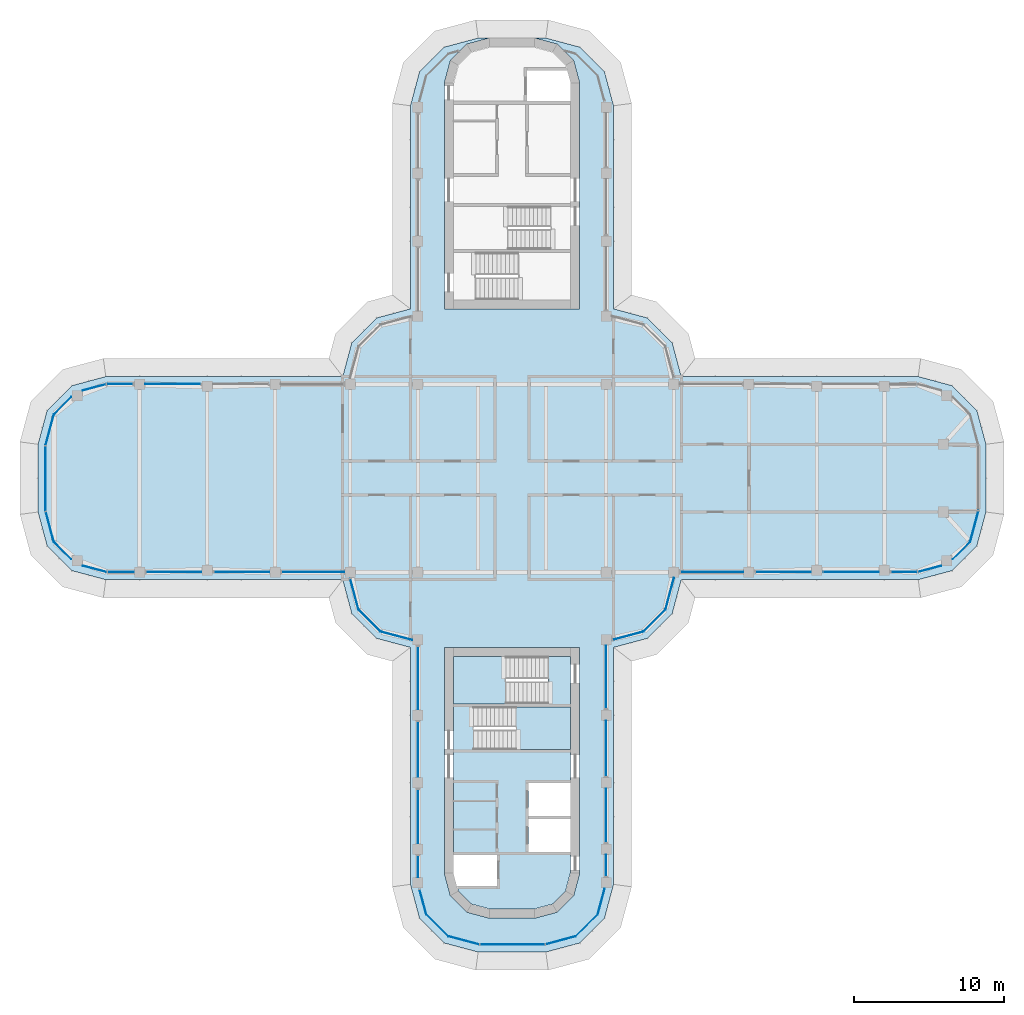
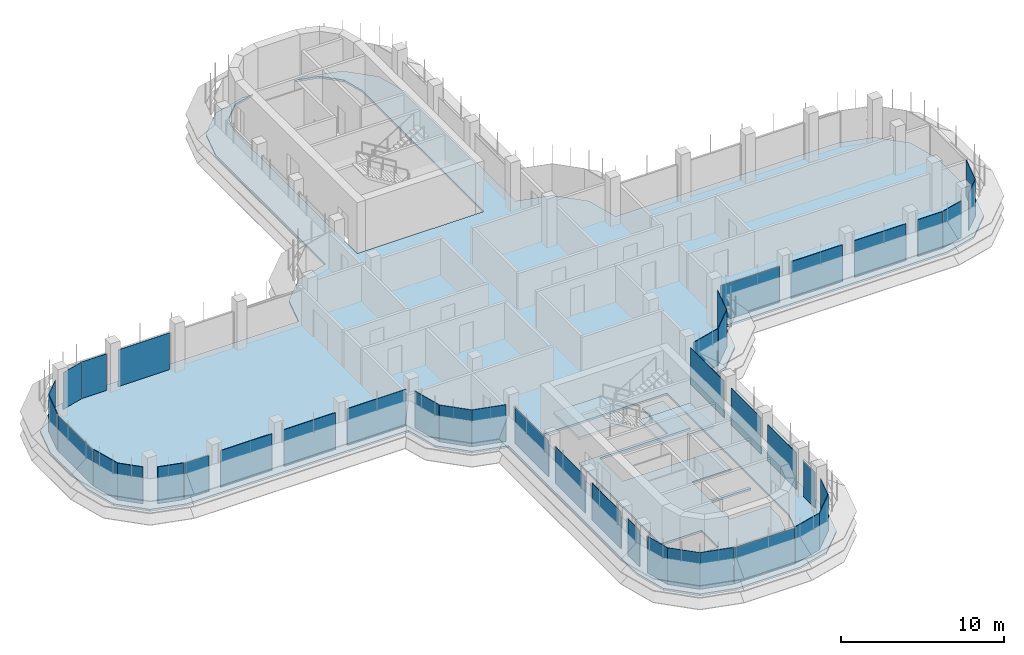
# One storey, part 11 of 19: 41 plates, 4 slabs, 30 elements without a shape of their own.
"""IFC4 building model written with IfcOpenShell, lengths in metres."""

from ifc_helpers import new_model, si_unit, direction, frame, origin, place, context, subcontext, project, spatial, polyline, outline, extrude, source, transform, mapped, material, layer, layer_set, type_object, element, aggregate, save


model = new_model("IFC4")

# Units and contexts
model_context = context("Model", 3, precision=1e-05, world=origin(), true_north=direction((0.0, 1.0)))
body_context = subcontext(model_context, "Body", "Model", "MODEL_VIEW")
ifc_project = project(units=[si_unit("LENGTHUNIT", "METRE"), si_unit("AREAUNIT", "SQUARE_METRE"), si_unit("VOLUMEUNIT", "CUBIC_METRE"), si_unit("PLANEANGLEUNIT", "RADIAN"), si_unit("MASSUNIT", "GRAM", prefix="KILO")], contexts=[model_context])

# Site, building, storey
site_placement = place(None, origin())
site = spatial("IfcSite", under=ifc_project, at=site_placement, CompositionType="ELEMENT")
building_placement = place(site_placement, origin())
building = spatial("IfcBuilding", under=site, at=building_placement, Name="Zarbagh Exchange Tower", CompositionType="ELEMENT")
storey_placement = place(building_placement, frame((0.0, 0.0, 237.199951171875)))
storey = spatial("IfcBuildingStorey", under=building, at=storey_placement, Name="L58", CompositionType="ELEMENT", Elevation=237.199951171875)

# Slabs
ifc_material_1 = material(Name="Concrete C40/50", Category="concrete")
ifc_layer_1 = layer(ifc_material_1, 0.14990234375)
ifc_layer_set_1 = layer_set([ifc_layer_1], Name="Composite floor slab 150 C40/50")
slab_type_1 = type_object("IfcSlabType", Name="Composite floor slab 150 C40/50", PredefinedType="FLOOR", material=ifc_layer_set_1)
slab_1_placement = place(storey_placement, frame((0.0, 0.0, -0.14990234375)))
element("IfcSlab", 1, at=slab_1_placement, inside=storey, type_object=slab_type_1, Name="S5 composite floor slab", PredefinedType="FLOOR", context=body_context, shape_type="SweptSolid", body=[
    extrude(outline(polyline([(-2.25, -31.5), (-4.5, -30.897216796875), (-6.147216796875, -29.25), (-6.75, -27.0), (-6.75, -11.25), (-9.0, -10.647216796875), (-10.647216796875, -9.0), (-11.25, -6.75), (-27.0, -6.75), (-29.25, -6.147216796875), (-30.897216796875, -4.5), (-31.5, -2.25), (-31.5, 2.25), (-30.897216796875, 4.5), (-29.25, 6.147216796875), (-27.0, 6.75), (-11.25, 6.75), (-10.647216796875, 9.0), (-9.0, 10.647216796875), (-6.75, 11.25), (-6.75, 24.75), (-6.147216796875, 27.0), (-4.5, 28.647216796875), (-2.25, 29.25), (-1.5, 29.25), (-3.0, 28.84814453125), (-4.09814453125, 27.75), (-4.5, 26.25), (-4.5, 11.25), (4.5, 11.25), (4.5, 26.25), (4.09814453125, 27.75), (3.0, 28.84814453125), (1.5, 29.25), (2.25, 29.25), (4.5, 28.647216796875), (6.147216796875, 27.0), (6.75, 24.75), (6.75, 11.25), (9.0, 10.647216796875), (10.647216796875, 9.0), (11.25, 6.75), (27.0, 6.75), (29.25, 6.147216796875), (30.897216796875, 4.5), (31.5, 2.25), (31.5, -2.25), (30.897216796875, -4.5), (29.25, -6.147216796875), (27.0, -6.75), (11.25, -6.75), (10.647216796875, -9.0), (9.0, -10.647216796875), (6.75, -11.25), (6.75, -27.0), (6.147216796875, -29.25), (4.5, -30.897216796875), (2.25, -31.5), (-2.25, -31.5)]), holes=[polyline([(-1.5, -29.25), (1.5, -29.25), (3.0, -28.84814453125), (4.09814453125, -27.75), (4.5, -26.25), (4.5, -11.25), (-4.5, -11.25), (-4.5, -26.25), (-4.09814453125, -27.75), (-3.0, -28.84814453125), (-1.5, -29.25)])]), origin(), (0.0, 0.0, 1.0), 0.14990234375),
])
ifc_layer_2 = layer(ifc_material_1, 0.14990234375)
ifc_layer_set_2 = layer_set([ifc_layer_2], Name="Core floor slab 150 C40/50")
slab_type_2 = type_object("IfcSlabType", Name="Core floor slab 150 C40/50", PredefinedType="FLOOR", material=ifc_layer_set_2)
slab_2_placement = place(storey_placement, frame((0.0, 0.0, -0.14990234375)))
element("IfcSlab", 2, at=slab_2_placement, inside=storey, type_object=slab_type_2, Name="S17 core S", PredefinedType="FLOOR", context=body_context, shape_type="SweptSolid", body=[
    extrude(outline(polyline([(-2.689453125, -28.31005859375), (-3.56005859375, -27.439453125), (-3.651123046875, -27.10009765625), (-1.0, -27.10009765625), (-1.0, -25.050048828125), (-3.89990234375, -25.050048828125), (-3.89990234375, -15.0), (2.39990234375, -15.0), (2.39990234375, -11.85009765625), (3.89990234375, -11.85009765625), (3.89990234375, -15.199951171875), (-2.550048828125, -15.199951171875), (-2.550048828125, -18.050048828125), (3.89990234375, -18.050048828125), (3.89990234375, -20.25), (1.10009765625, -20.25), (1.10009765625, -22.449951171875), (3.89990234375, -22.449951171875), (3.89990234375, -22.64990234375), (1.10009765625, -22.64990234375), (1.10009765625, -24.85009765625), (3.89990234375, -24.85009765625), (3.89990234375, -26.1708984375), (3.56005859375, -27.439453125), (2.689453125, -28.31005859375), (1.4208984375, -28.64990234375), (-1.4208984375, -28.64990234375), (-2.689453125, -28.31005859375)])), origin(), (0.0, 0.0, 1.0), 0.14990234375),
])

# Stair, slab
stair_type = type_object("IfcStairType", Name="Exit stair two-flight half-turn", PredefinedType="HALF_TURN_STAIR", material=ifc_material_1)
stair_1_placement = place(storey_placement, origin())
stair_1 = element("IfcStair", 3, at=stair_1_placement, inside=storey, type_object=stair_type, Name="exit stair ST3", PredefinedType="HALF_TURN_STAIR")
ifc_layer_3 = layer(ifc_material_1, 0.199951171875)
ifc_layer_set_3 = layer_set([ifc_layer_3], Name="Stair landing 200 mm")
slab_type_3 = type_object("IfcSlabType", Name="Stair landing 200 mm", PredefinedType="LANDING", material=ifc_layer_set_3)
slab_3_placement = place(storey_placement, frame((0.0, 0.0, 1.699951171875)))
slab_3 = element("IfcSlab", 4, at=slab_3_placement, type_object=slab_type_3, Name="ST3 landing 1", PredefinedType="LANDING", context=body_context, shape_type="SweptSolid", body=[
    extrude(outline(polyline([(0.25, -18.050048828125), (3.89990234375, -18.050048828125), (3.89990234375, -15.199951171875), (0.25, -15.199951171875), (0.25, -18.050048828125)])), origin(), (0.0, 0.0, 1.0), 0.2001953125),
])
aggregate(stair_1, [slab_3])

stair_2_placement = place(storey_placement, origin())
stair_2 = element("IfcStair", 5, at=stair_2_placement, inside=storey, type_object=stair_type, Name="exit stair ST4", PredefinedType="HALF_TURN_STAIR")
slab_4_placement = place(storey_placement, frame((0.0, 0.0, 1.699951171875)))
slab_4 = element("IfcSlab", 6, at=slab_4_placement, type_object=slab_type_3, Name="ST4 landing 1", PredefinedType="LANDING", context=body_context, shape_type="SweptSolid", body=[
    extrude(outline(polyline([(-0.39990234375, -11.85009765625), (-3.89990234375, -11.85009765625), (-3.89990234375, -15.0), (-0.39990234375, -15.0), (-0.39990234375, -11.85009765625)])), origin(), (0.0, 0.0, 1.0), 0.2001953125),
])
aggregate(stair_2, [slab_4])

# Curtain wall, plate
ifc_material_2 = material(Name="Anodised aluminium frame and glazing", Category="aluminium")
curtain_wall_type = type_object("IfcCurtainWallType", Name="CWB Ribbon glazing, upper zones", PredefinedType="NOTDEFINED", material=ifc_material_2)
curtain_wall_1_placement = place(storey_placement, origin())
curtain_wall_1 = element("IfcCurtainWall", 7, at=curtain_wall_1_placement, inside=storey, type_object=curtain_wall_type, Name="CWB50 curtain wall", PredefinedType="NOTDEFINED")
ifc_material_3 = material(Name="Low-e double glazed unit, 6+12+6 mm")
ifc_layer_4 = layer(ifc_material_3, 0.031982421875)
ifc_layer_set_4 = layer_set([ifc_layer_4], Name="PAB Glazing panel, Low-e double glazed unit, 6+12+6 mm")
plate_type = type_object("IfcPlateType", Name="PAB Glazing panel, Low-e double glazed unit, 6+12+6 mm", PredefinedType="CURTAIN_PANEL", material=ifc_layer_set_4)
shared_shape_1 = source(origin(), body_context, "Body", "SweptSolid", [
    extrude(outline(polyline([(0.0, -0.01611328125), (2.061279296875, -0.01611328125), (2.061279296875, 0.01611328125), (0.0, 0.01611328125), (0.0, -0.01611328125)])), origin(), (0.0, 0.0, 1.0), 2.75),
])
placement = place(storey_placement, origin())
plate_1 = element("IfcPlate", 8, at=placement, type_object=plate_type, Name="CWB50 glazing panel 1.1", PredefinedType="CURTAIN_PANEL", context=body_context, shape_type="MappedRepresentation", body=[
    mapped(shared_shape_1, transform((4.2412109375, -30.44873046875, 0.0), x_axis=(0.707106781187, 0.707106781187, 0.0), y_axis=(-0.707106781187, 0.707106781187, 0.0), z_axis=(0.0, 0.0, 1.0))),
])
aggregate(curtain_wall_1, [plate_1])

curtain_wall_2_placement = place(storey_placement, origin())
curtain_wall_2 = element("IfcCurtainWall", 9, at=curtain_wall_2_placement, inside=storey, type_object=curtain_wall_type, Name="CWB06 curtain wall", PredefinedType="NOTDEFINED")
plate_2 = element("IfcPlate", 10, at=placement, type_object=plate_type, Name="CWB06 glazing panel 1.1", PredefinedType="CURTAIN_PANEL", context=body_context, shape_type="MappedRepresentation", body=[
    mapped(shared_shape_1, transform((8.7412109375, -10.19873046875, 0.0), x_axis=(0.707106781187, 0.707106781187, 0.0), y_axis=(-0.707106781187, 0.707106781187, 0.0), z_axis=(0.0, 0.0, 1.0))),
])
aggregate(curtain_wall_2, [plate_2])

curtain_wall_3_placement = place(storey_placement, origin())
curtain_wall_3 = element("IfcCurtainWall", 11, at=curtain_wall_3_placement, inside=storey, type_object=curtain_wall_type, Name="CWB42 curtain wall", PredefinedType="NOTDEFINED")
plate_3 = element("IfcPlate", 12, at=placement, type_object=plate_type, Name="CWB42 glazing panel 1.1", PredefinedType="CURTAIN_PANEL", context=body_context, shape_type="MappedRepresentation", body=[
    mapped(shared_shape_1, transform((-10.19873046875, -8.7412109375, 0.0), x_axis=(0.707106781187, -0.707106781187, 0.0), y_axis=(0.707106781187, 0.707106781187, 0.0), z_axis=(0.0, 0.0, 1.0))),
])
aggregate(curtain_wall_3, [plate_3])

curtain_wall_4_placement = place(storey_placement, origin())
curtain_wall_4 = element("IfcCurtainWall", 13, at=curtain_wall_4_placement, inside=storey, type_object=curtain_wall_type, Name="CWB55 curtain wall", PredefinedType="NOTDEFINED")
plate_4 = element("IfcPlate", 14, at=placement, type_object=plate_type, Name="CWB55 glazing panel 1.1", PredefinedType="CURTAIN_PANEL", context=body_context, shape_type="MappedRepresentation", body=[
    mapped(shared_shape_1, transform((-5.69873046875, -28.9912109375, 0.0), x_axis=(0.707106781187, -0.707106781187, 0.0), y_axis=(0.707106781187, 0.707106781187, 0.0), z_axis=(0.0, 0.0, 1.0))),
])
aggregate(curtain_wall_4, [plate_4])

curtain_wall_5_placement = place(storey_placement, origin())
curtain_wall_5 = element("IfcCurtainWall", 15, at=curtain_wall_5_placement, inside=storey, type_object=curtain_wall_type, Name="CWB11 curtain wall", PredefinedType="NOTDEFINED")
shared_shape_2 = source(origin(), body_context, "Body", "SweptSolid", [
    extrude(outline(polyline([(0.0, -0.01611328125), (2.129638671875, -0.01611328125), (2.129638671875, 0.01611328125), (0.0, 0.01611328125), (0.0, -0.01611328125)])), origin(), (0.0, 0.0, 1.0), 2.75),
])
plate_5 = element("IfcPlate", 16, at=placement, type_object=plate_type, Name="CWB11 glazing panel 1.1", PredefinedType="CURTAIN_PANEL", context=body_context, shape_type="MappedRepresentation", body=[
    mapped(shared_shape_2, transform((30.44873046875, -4.2412109375, 0.0), x_axis=(0.258824779902, 0.965924289636, 0.0), y_axis=(-0.965924289636, 0.258824779902, 0.0), z_axis=(0.0, 0.0, 1.0))),
])
aggregate(curtain_wall_5, [plate_5])

curtain_wall_6_placement = place(storey_placement, origin())
curtain_wall_6 = element("IfcCurtainWall", 17, at=curtain_wall_6_placement, inside=storey, type_object=curtain_wall_type, Name="CWB61 curtain wall", PredefinedType="NOTDEFINED")
plate_6 = element("IfcPlate", 18, at=placement, type_object=plate_type, Name="CWB61 glazing panel 1.1", PredefinedType="CURTAIN_PANEL", context=body_context, shape_type="MappedRepresentation", body=[
    mapped(shared_shape_2, transform((-30.44873046875, 4.2412109375, 0.0), x_axis=(-0.258824779902, -0.965924289636, 0.0), y_axis=(0.965924289636, -0.258824779902, 0.0), z_axis=(0.0, 0.0, 1.0))),
])
aggregate(curtain_wall_6, [plate_6])

curtain_wall_7_placement = place(storey_placement, origin())
curtain_wall_7 = element("IfcCurtainWall", 19, at=curtain_wall_7_placement, inside=storey, type_object=curtain_wall_type, Name="CWB56 curtain wall", PredefinedType="NOTDEFINED")
plate_7 = element("IfcPlate", 20, at=placement, type_object=plate_type, Name="CWB56 glazing panel 1.1", PredefinedType="CURTAIN_PANEL", context=body_context, shape_type="MappedRepresentation", body=[
    mapped(shared_shape_2, transform((-4.2412109375, -30.44873046875, 0.0), x_axis=(0.965924289636, -0.258824779902, 0.0), y_axis=(0.258824779902, 0.965924289636, 0.0), z_axis=(0.0, 0.0, 1.0))),
])
aggregate(curtain_wall_7, [plate_7])

curtain_wall_8_placement = place(storey_placement, origin())
curtain_wall_8 = element("IfcCurtainWall", 21, at=curtain_wall_8_placement, inside=storey, type_object=curtain_wall_type, Name="CWB52 curtain wall", PredefinedType="NOTDEFINED")
shared_shape_3 = source(origin(), body_context, "Body", "SweptSolid", [
    extrude(outline(polyline([(0.0, -0.01611328125), (3.56005859375, -0.01611328125), (3.56005859375, 0.01611328125), (0.0, 0.01611328125), (0.0, -0.01611328125)])), origin(), (0.0, 0.0, 1.0), 2.75),
])
plate_8 = element("IfcPlate", 22, at=placement, type_object=plate_type, Name="CWB52 glazing panel 2.1", PredefinedType="CURTAIN_PANEL", context=body_context, shape_type="MappedRepresentation", body=[
    mapped(shared_shape_3, transform((6.25, -24.199951171875, 0.0), x_axis=(0.0, 1.0, 0.0), y_axis=(-1.0, 0.0, 0.0), z_axis=(0.0, 0.0, 1.0))),
])

curtain_wall_9_placement = place(storey_placement, origin())
curtain_wall_9 = element("IfcCurtainWall", 23, at=curtain_wall_9_placement, inside=storey, type_object=curtain_wall_type, Name="CWB53 curtain wall", PredefinedType="NOTDEFINED")
plate_9 = element("IfcPlate", 24, at=placement, type_object=plate_type, Name="CWB53 glazing panel 3.1", PredefinedType="CURTAIN_PANEL", context=body_context, shape_type="MappedRepresentation", body=[
    mapped(shared_shape_3, transform((-6.25, -20.699951171875, 0.0), x_axis=(0.0, -1.0, 0.0), y_axis=(1.0, 0.0, 0.0), z_axis=(0.0, 0.0, 1.0))),
])

curtain_wall_10_placement = place(storey_placement, origin())
curtain_wall_10 = element("IfcCurtainWall", 25, at=curtain_wall_10_placement, inside=storey, type_object=curtain_wall_type, Name="CWB66 curtain wall", PredefinedType="NOTDEFINED")
shared_shape_4 = source(origin(), body_context, "Body", "SweptSolid", [
    extrude(outline(polyline([(0.0, -0.01611328125), (4.308349609375, -0.01611328125), (4.308349609375, 0.01611328125), (0.0, 0.01611328125), (0.0, -0.01611328125)])), origin(), (0.0, 0.0, 1.0), 2.68994140625),
])
plate_10 = element("IfcPlate", 26, at=placement, type_object=plate_type, Name="CWB66 glazing panel 1.1", PredefinedType="CURTAIN_PANEL", context=body_context, shape_type="MappedRepresentation", body=[
    mapped(shared_shape_4, transform((-31.0, 2.124267578125, 0.0), x_axis=(0.0, -1.0, 0.0), y_axis=(1.0, 0.0, 0.0), z_axis=(0.0, 0.0, 1.0))),
])
aggregate(curtain_wall_10, [plate_10])

curtain_wall_11_placement = place(storey_placement, origin())
curtain_wall_11 = element("IfcCurtainWall", 27, at=curtain_wall_11_placement, inside=storey, type_object=curtain_wall_type, Name="CWB57 curtain wall", PredefinedType="NOTDEFINED")
plate_11 = element("IfcPlate", 28, at=placement, type_object=plate_type, Name="CWB57 glazing panel 1.1", PredefinedType="CURTAIN_PANEL", context=body_context, shape_type="MappedRepresentation", body=[
    mapped(shared_shape_4, transform((-2.124267578125, -31.0, 0.0), x_axis=(1.0, 0.0, 0.0), y_axis=(0.0, 1.0, 0.0), z_axis=(0.0, 0.0, 1.0))),
])
aggregate(curtain_wall_11, [plate_11])

curtain_wall_12_placement = place(storey_placement, origin())
curtain_wall_12 = element("IfcCurtainWall", 29, at=curtain_wall_12_placement, inside=storey, type_object=curtain_wall_type, Name="CWB49 curtain wall", PredefinedType="NOTDEFINED")
shared_shape_5 = source(origin(), body_context, "Body", "SweptSolid", [
    extrude(outline(polyline([(0.0, -0.01611328125), (2.069580078125, -0.01611328125), (2.069580078125, 0.01611328125), (0.0, 0.01611328125), (0.0, -0.01611328125)])), origin(), (0.0, 0.0, 1.0), 2.75),
])
plate_12 = element("IfcPlate", 30, at=placement, type_object=plate_type, Name="CWB49 glazing panel 1.1", PredefinedType="CURTAIN_PANEL", context=body_context, shape_type="MappedRepresentation", body=[
    mapped(shared_shape_5, transform((2.2421875, -30.984375, 0.0), x_axis=(0.965924289636, 0.258824779902, 0.0), y_axis=(-0.258824779902, 0.965924289636, 0.0), z_axis=(0.0, 0.0, 1.0))),
])
aggregate(curtain_wall_12, [plate_12])

curtain_wall_13_placement = place(storey_placement, origin())
curtain_wall_13 = element("IfcCurtainWall", 31, at=curtain_wall_13_placement, inside=storey, type_object=curtain_wall_type, Name="CWB62 curtain wall", PredefinedType="NOTDEFINED")
plate_13 = element("IfcPlate", 32, at=placement, type_object=plate_type, Name="CWB62 glazing panel 1.1", PredefinedType="CURTAIN_PANEL", context=body_context, shape_type="MappedRepresentation", body=[
    mapped(shared_shape_5, transform((-30.984375, -2.2421875, 0.0), x_axis=(0.258824779902, -0.965924289636, 0.0), y_axis=(0.965924289636, 0.258824779902, 0.0), z_axis=(0.0, 0.0, 1.0))),
])
aggregate(curtain_wall_13, [plate_13])

curtain_wall_14_placement = place(storey_placement, origin())
curtain_wall_14 = element("IfcCurtainWall", 33, at=curtain_wall_14_placement, inside=storey, type_object=curtain_wall_type, Name="CWB51 curtain wall", PredefinedType="NOTDEFINED")
shared_shape_6 = source(origin(), body_context, "Body", "SweptSolid", [
    extrude(outline(polyline([(0.0, -0.01611328125), (1.76123046875, -0.01611328125), (1.76123046875, 0.01611328125), (0.0, 0.01611328125), (0.0, -0.01611328125)])), origin(), (0.0, 0.0, 1.0), 2.75),
])
plate_14 = element("IfcPlate", 34, at=placement, type_object=plate_type, Name="CWB51 glazing panel 1.1", PredefinedType="CURTAIN_PANEL", context=body_context, shape_type="MappedRepresentation", body=[
    mapped(shared_shape_6, transform((5.69873046875, -28.9912109375, 0.0), x_axis=(0.258824779902, 0.965924289636, 0.0), y_axis=(-0.965924289636, 0.258824779902, 0.0), z_axis=(0.0, 0.0, 1.0))),
])
aggregate(curtain_wall_14, [plate_14])

# Plate
shared_shape_7 = source(origin(), body_context, "Body", "SweptSolid", [
    extrude(outline(polyline([(0.0, -0.01611328125), (1.409912109375, -0.01611328125), (1.409912109375, 0.01611328125), (0.0, 0.01611328125), (0.0, -0.01611328125)])), origin(), (0.0, 0.0, 1.0), 2.68994140625),
])
plate_15 = element("IfcPlate", 35, at=placement, type_object=plate_type, Name="CWB52 glazing panel 1.1", PredefinedType="CURTAIN_PANEL", context=body_context, shape_type="MappedRepresentation", body=[
    mapped(shared_shape_7, transform((6.25, -26.449951171875, 0.0), x_axis=(0.0, 1.0, 0.0), y_axis=(-1.0, 0.0, 0.0), z_axis=(0.0, 0.0, 1.0))),
])

shared_shape_8 = source(origin(), body_context, "Body", "SweptSolid", [
    extrude(outline(polyline([(0.0, -0.01611328125), (3.659912109375, -0.01611328125), (3.659912109375, 0.01611328125), (0.0, 0.01611328125), (0.0, -0.01611328125)])), origin(), (0.0, 0.0, 1.0), 2.75),
])
plate_16 = element("IfcPlate", 36, at=placement, type_object=plate_type, Name="CWB52 glazing panel 3.1", PredefinedType="CURTAIN_PANEL", context=body_context, shape_type="MappedRepresentation", body=[
    mapped(shared_shape_8, transform((6.25, -19.800048828125, 0.0), x_axis=(0.0, 1.0, 0.0), y_axis=(-1.0, 0.0, 0.0), z_axis=(0.0, 0.0, 1.0))),
])

# Curtain wall, plates
curtain_wall_15_placement = place(storey_placement, origin())
curtain_wall_15 = element("IfcCurtainWall", 37, at=curtain_wall_15_placement, inside=storey, type_object=curtain_wall_type, Name="CWB08 curtain wall", PredefinedType="NOTDEFINED")
plate_17 = element("IfcPlate", 38, at=placement, type_object=plate_type, Name="CWB08 glazing panel 2.1", PredefinedType="CURTAIN_PANEL", context=body_context, shape_type="MappedRepresentation", body=[
    mapped(shared_shape_8, transform((16.199951171875, -6.25, 0.0), x_axis=(1.0, 0.0, 0.0), y_axis=(0.0, 1.0, 0.0), z_axis=(0.0, 0.0, 1.0))),
])
plate_18 = element("IfcPlate", 39, at=placement, type_object=plate_type, Name="CWB08 glazing panel 3.1", PredefinedType="CURTAIN_PANEL", context=body_context, shape_type="MappedRepresentation", body=[
    mapped(shared_shape_8, transform((20.699951171875, -6.25, 0.0), x_axis=(1.0, 0.0, 0.0), y_axis=(0.0, 1.0, 0.0), z_axis=(0.0, 0.0, 1.0))),
])

# Curtain wall, plate
curtain_wall_16_placement = place(storey_placement, origin())
curtain_wall_16 = element("IfcCurtainWall", 40, at=curtain_wall_16_placement, inside=storey, type_object=curtain_wall_type, Name="CWB58 curtain wall", PredefinedType="NOTDEFINED")
plate_19 = element("IfcPlate", 41, at=placement, type_object=plate_type, Name="CWB58 glazing panel 3.1", PredefinedType="CURTAIN_PANEL", context=body_context, shape_type="MappedRepresentation", body=[
    mapped(shared_shape_8, transform((-20.699951171875, 6.25, 0.0), x_axis=(-1.0, 0.0, 0.0), y_axis=(0.0, -1.0, 0.0), z_axis=(0.0, 0.0, 1.0))),
])

# Curtain wall, plates
curtain_wall_17_placement = place(storey_placement, origin())
curtain_wall_17 = element("IfcCurtainWall", 42, at=curtain_wall_17_placement, inside=storey, type_object=curtain_wall_type, Name="CWB65 curtain wall", PredefinedType="NOTDEFINED")
plate_20 = element("IfcPlate", 43, at=placement, type_object=plate_type, Name="CWB65 glazing panel 2.1", PredefinedType="CURTAIN_PANEL", context=body_context, shape_type="MappedRepresentation", body=[
    mapped(shared_shape_8, transform((-24.300048828125, -6.25, 0.0), x_axis=(1.0, 0.0, 0.0), y_axis=(0.0, 1.0, 0.0), z_axis=(0.0, 0.0, 1.0))),
])
plate_21 = element("IfcPlate", 44, at=placement, type_object=plate_type, Name="CWB65 glazing panel 3.1", PredefinedType="CURTAIN_PANEL", context=body_context, shape_type="MappedRepresentation", body=[
    mapped(shared_shape_8, transform((-19.800048828125, -6.25, 0.0), x_axis=(1.0, 0.0, 0.0), y_axis=(0.0, 1.0, 0.0), z_axis=(0.0, 0.0, 1.0))),
])

# Plate
plate_22 = element("IfcPlate", 45, at=placement, type_object=plate_type, Name="CWB53 glazing panel 2.1", PredefinedType="CURTAIN_PANEL", context=body_context, shape_type="MappedRepresentation", body=[
    mapped(shared_shape_8, transform((-6.25, -16.199951171875, 0.0), x_axis=(0.0, -1.0, 0.0), y_axis=(1.0, 0.0, 0.0), z_axis=(0.0, 0.0, 1.0))),
])

shared_shape_9 = source(origin(), body_context, "Body", "SweptSolid", [
    extrude(outline(polyline([(0.0, -0.01611328125), (4.159912109375, -0.01611328125), (4.159912109375, 0.01611328125), (0.0, 0.01611328125), (0.0, -0.01611328125)])), origin(), (0.0, 0.0, 1.0), 2.75),
])
plate_23 = element("IfcPlate", 46, at=placement, type_object=plate_type, Name="CWB52 glazing panel 4.1", PredefinedType="CURTAIN_PANEL", context=body_context, shape_type="MappedRepresentation", body=[
    mapped(shared_shape_9, transform((6.25, -15.300048828125, 0.0), x_axis=(0.0, 1.0, 0.0), y_axis=(-1.0, 0.0, 0.0), z_axis=(0.0, 0.0, 1.0))),
])

aggregate(curtain_wall_8, [plate_15, plate_8, plate_16, plate_23])

plate_24 = element("IfcPlate", 47, at=placement, type_object=plate_type, Name="CWB65 glazing panel 4.1", PredefinedType="CURTAIN_PANEL", context=body_context, shape_type="MappedRepresentation", body=[
    mapped(shared_shape_9, transform((-15.300048828125, -6.25, 0.0), x_axis=(1.0, 0.0, 0.0), y_axis=(0.0, 1.0, 0.0), z_axis=(0.0, 0.0, 1.0))),
])

# Curtain wall, plate
curtain_wall_18_placement = place(storey_placement, origin())
curtain_wall_18 = element("IfcCurtainWall", 48, at=curtain_wall_18_placement, inside=storey, type_object=curtain_wall_type, Name="CWB05 curtain wall", PredefinedType="NOTDEFINED")
shared_shape_10 = source(origin(), body_context, "Body", "SweptSolid", [
    extrude(outline(polyline([(0.0, -0.01611328125), (2.115234375, -0.01611328125), (2.115234375, 0.01611328125), (0.0, 0.01611328125), (0.0, -0.01611328125)])), origin(), (0.0, 0.0, 1.0), 2.75),
])
plate_25 = element("IfcPlate", 49, at=placement, type_object=plate_type, Name="CWB05 glazing panel 1.1", PredefinedType="CURTAIN_PANEL", context=body_context, shape_type="MappedRepresentation", body=[
    mapped(shared_shape_10, transform((6.697998046875, -10.746337890625, 0.0), x_axis=(0.965924289636, 0.258824779902, 0.0), y_axis=(-0.258824779902, 0.965924289636, 0.0), z_axis=(0.0, 0.0, 1.0))),
])
aggregate(curtain_wall_18, [plate_25])

curtain_wall_19_placement = place(storey_placement, origin())
curtain_wall_19 = element("IfcCurtainWall", 50, at=curtain_wall_19_placement, inside=storey, type_object=curtain_wall_type, Name="CWB41 curtain wall", PredefinedType="NOTDEFINED")
plate_26 = element("IfcPlate", 51, at=placement, type_object=plate_type, Name="CWB41 glazing panel 1.1", PredefinedType="CURTAIN_PANEL", context=body_context, shape_type="MappedRepresentation", body=[
    mapped(shared_shape_10, transform((-10.746337890625, -6.697998046875, 0.0), x_axis=(0.258824779902, -0.965924289636, 0.0), y_axis=(0.965924289636, 0.258824779902, 0.0), z_axis=(0.0, 0.0, 1.0))),
])
aggregate(curtain_wall_19, [plate_26])

curtain_wall_20_placement = place(storey_placement, origin())
curtain_wall_20 = element("IfcCurtainWall", 52, at=curtain_wall_20_placement, inside=storey, type_object=curtain_wall_type, Name="CWB07 curtain wall", PredefinedType="NOTDEFINED")
shared_shape_11 = source(origin(), body_context, "Body", "SweptSolid", [
    extrude(outline(polyline([(0.0, -0.01611328125), (2.17529296875, -0.01611328125), (2.17529296875, 0.01611328125), (0.0, 0.01611328125), (0.0, -0.01611328125)])), origin(), (0.0, 0.0, 1.0), 2.75),
])
plate_27 = element("IfcPlate", 53, at=placement, type_object=plate_type, Name="CWB07 glazing panel 1.1", PredefinedType="CURTAIN_PANEL", context=body_context, shape_type="MappedRepresentation", body=[
    mapped(shared_shape_11, transform((10.19873046875, -8.7412109375, 0.0), x_axis=(0.258824779902, 0.965924289636, 0.0), y_axis=(-0.965924289636, 0.258824779902, 0.0), z_axis=(0.0, 0.0, 1.0))),
])
aggregate(curtain_wall_20, [plate_27])

curtain_wall_21_placement = place(storey_placement, origin())
curtain_wall_21 = element("IfcCurtainWall", 54, at=curtain_wall_21_placement, inside=storey, type_object=curtain_wall_type, Name="CWB43 curtain wall", PredefinedType="NOTDEFINED")
plate_28 = element("IfcPlate", 55, at=placement, type_object=plate_type, Name="CWB43 glazing panel 1.1", PredefinedType="CURTAIN_PANEL", context=body_context, shape_type="MappedRepresentation", body=[
    mapped(shared_shape_11, transform((-8.7412109375, -10.19873046875, 0.0), x_axis=(0.965924289636, -0.258824779902, 0.0), y_axis=(0.258824779902, 0.965924289636, 0.0), z_axis=(0.0, 0.0, 1.0))),
])
aggregate(curtain_wall_21, [plate_28])

# Plate
shared_shape_12 = source(origin(), body_context, "Body", "SweptSolid", [
    extrude(outline(polyline([(0.0, -0.01611328125), (4.159912109375, -0.01611328125), (4.159912109375, 0.01611328125), (0.0, 0.01611328125), (0.0, -0.01611328125)])), origin(), (0.0, 0.0, 1.0), 2.68994140625),
])
plate_29 = element("IfcPlate", 56, at=placement, type_object=plate_type, Name="CWB08 glazing panel 1.1", PredefinedType="CURTAIN_PANEL", context=body_context, shape_type="MappedRepresentation", body=[
    mapped(shared_shape_12, transform((11.199951171875, -6.25, 0.0), x_axis=(1.0, 0.0, 0.0), y_axis=(0.0, 1.0, 0.0), z_axis=(0.0, 0.0, 1.0))),
])

plate_30 = element("IfcPlate", 57, at=placement, type_object=plate_type, Name="CWB53 glazing panel 1.1", PredefinedType="CURTAIN_PANEL", context=body_context, shape_type="MappedRepresentation", body=[
    mapped(shared_shape_12, transform((-6.25, -11.199951171875, 0.0), x_axis=(0.0, -1.0, 0.0), y_axis=(1.0, 0.0, 0.0), z_axis=(0.0, 0.0, 1.0))),
])

shared_shape_13 = source(origin(), body_context, "Body", "SweptSolid", [
    extrude(outline(polyline([(0.0, -0.01611328125), (1.734130859375, -0.01611328125), (1.734130859375, 0.01611328125), (0.0, 0.01611328125), (0.0, -0.01611328125)])), origin(), (0.0, 0.0, 1.0), 2.75),
])
plate_31 = element("IfcPlate", 58, at=placement, type_object=plate_type, Name="CWB08 glazing panel 4.1", PredefinedType="CURTAIN_PANEL", context=body_context, shape_type="MappedRepresentation", body=[
    mapped(shared_shape_13, transform((25.199951171875, -6.25, 0.0), x_axis=(1.0, 0.0, 0.0), y_axis=(0.0, 1.0, 0.0), z_axis=(0.0, 0.0, 1.0))),
])

aggregate(curtain_wall_15, [plate_29, plate_17, plate_18, plate_31])

plate_32 = element("IfcPlate", 59, at=placement, type_object=plate_type, Name="CWB58 glazing panel 4.1", PredefinedType="CURTAIN_PANEL", context=body_context, shape_type="MappedRepresentation", body=[
    mapped(shared_shape_13, transform((-25.199951171875, 6.25, 0.0), x_axis=(-1.0, 0.0, 0.0), y_axis=(0.0, -1.0, 0.0), z_axis=(0.0, 0.0, 1.0))),
])

aggregate(curtain_wall_16, [plate_19, plate_32])

# Curtain wall, plate
curtain_wall_22_placement = place(storey_placement, origin())
curtain_wall_22 = element("IfcCurtainWall", 60, at=curtain_wall_22_placement, inside=storey, type_object=curtain_wall_type, Name="CWB09 curtain wall", PredefinedType="NOTDEFINED")
shared_shape_14 = source(origin(), body_context, "Body", "SweptSolid", [
    extrude(outline(polyline([(0.0, -0.01611328125), (1.57958984375, -0.01611328125), (1.57958984375, 0.01611328125), (0.0, 0.01611328125), (0.0, -0.01611328125)])), origin(), (0.0, 0.0, 1.0), 2.75),
])
plate_33 = element("IfcPlate", 61, at=placement, type_object=plate_type, Name="CWB09 glazing panel 1.1", PredefinedType="CURTAIN_PANEL", context=body_context, shape_type="MappedRepresentation", body=[
    mapped(shared_shape_14, transform((26.9921875, -6.234375, 0.0), x_axis=(0.965924289636, 0.258824779902, 0.0), y_axis=(-0.258824779902, 0.965924289636, 0.0), z_axis=(0.0, 0.0, 1.0))),
])
aggregate(curtain_wall_22, [plate_33])

curtain_wall_23_placement = place(storey_placement, origin())
curtain_wall_23 = element("IfcCurtainWall", 62, at=curtain_wall_23_placement, inside=storey, type_object=curtain_wall_type, Name="CWB59 curtain wall", PredefinedType="NOTDEFINED")
plate_34 = element("IfcPlate", 63, at=placement, type_object=plate_type, Name="CWB59 glazing panel 1.1", PredefinedType="CURTAIN_PANEL", context=body_context, shape_type="MappedRepresentation", body=[
    mapped(shared_shape_14, transform((-26.9921875, 6.234375, 0.0), x_axis=(-0.965924289636, -0.258824779902, 0.0), y_axis=(0.258824779902, -0.965924289636, 0.0), z_axis=(0.0, 0.0, 1.0))),
])
aggregate(curtain_wall_23, [plate_34])

curtain_wall_24_placement = place(storey_placement, origin())
curtain_wall_24 = element("IfcCurtainWall", 64, at=curtain_wall_24_placement, inside=storey, type_object=curtain_wall_type, Name="CWB10 curtain wall", PredefinedType="NOTDEFINED")
shared_shape_15 = source(origin(), body_context, "Body", "SweptSolid", [
    extrude(outline(polyline([(0.0, -0.01611328125), (1.62744140625, -0.01611328125), (1.62744140625, 0.01611328125), (0.0, 0.01611328125), (0.0, -0.01611328125)])), origin(), (0.0, 0.0, 1.0), 2.75),
])
plate_35 = element("IfcPlate", 65, at=placement, type_object=plate_type, Name="CWB10 glazing panel 1.1", PredefinedType="CURTAIN_PANEL", context=body_context, shape_type="MappedRepresentation", body=[
    mapped(shared_shape_15, transform((29.298095703125, -5.39208984375, 0.0), x_axis=(0.707106781187, 0.707106781187, 0.0), y_axis=(-0.707106781187, 0.707106781187, 0.0), z_axis=(0.0, 0.0, 1.0))),
])
aggregate(curtain_wall_24, [plate_35])

curtain_wall_25_placement = place(storey_placement, origin())
curtain_wall_25 = element("IfcCurtainWall", 66, at=curtain_wall_25_placement, inside=storey, type_object=curtain_wall_type, Name="CWB60 curtain wall", PredefinedType="NOTDEFINED")
plate_36 = element("IfcPlate", 67, at=placement, type_object=plate_type, Name="CWB60 glazing panel 1.1", PredefinedType="CURTAIN_PANEL", context=body_context, shape_type="MappedRepresentation", body=[
    mapped(shared_shape_15, transform((-29.298095703125, 5.39208984375, 0.0), x_axis=(-0.707106781187, -0.707106781187, 0.0), y_axis=(0.707106781187, -0.707106781187, 0.0), z_axis=(0.0, 0.0, 1.0))),
])
aggregate(curtain_wall_25, [plate_36])

curtain_wall_26_placement = place(storey_placement, origin())
curtain_wall_26 = element("IfcCurtainWall", 68, at=curtain_wall_26_placement, inside=storey, type_object=curtain_wall_type, Name="CWB63 curtain wall", PredefinedType="NOTDEFINED")
plate_37 = element("IfcPlate", 69, at=placement, type_object=plate_type, Name="CWB63 glazing panel 1.1", PredefinedType="CURTAIN_PANEL", context=body_context, shape_type="MappedRepresentation", body=[
    mapped(shared_shape_15, transform((-30.44873046875, -4.2412109375, 0.0), x_axis=(0.707106781187, -0.707106781187, 0.0), y_axis=(0.707106781187, 0.707106781187, 0.0), z_axis=(0.0, 0.0, 1.0))),
])
aggregate(curtain_wall_26, [plate_37])

curtain_wall_27_placement = place(storey_placement, origin())
curtain_wall_27 = element("IfcCurtainWall", 70, at=curtain_wall_27_placement, inside=storey, type_object=curtain_wall_type, Name="CWB64 curtain wall", PredefinedType="NOTDEFINED")
shared_shape_16 = source(origin(), body_context, "Body", "SweptSolid", [
    extrude(outline(polyline([(0.0, -0.01611328125), (1.6396484375, -0.01611328125), (1.6396484375, 0.01611328125), (0.0, 0.01611328125), (0.0, -0.01611328125)])), origin(), (0.0, 0.0, 1.0), 2.75),
])
plate_38 = element("IfcPlate", 71, at=placement, type_object=plate_type, Name="CWB64 glazing panel 1.1", PredefinedType="CURTAIN_PANEL", context=body_context, shape_type="MappedRepresentation", body=[
    mapped(shared_shape_16, transform((-28.51806640625, -5.82568359375, 0.0), x_axis=(0.965924289636, -0.258824779902, 0.0), y_axis=(0.258824779902, 0.965924289636, 0.0), z_axis=(0.0, 0.0, 1.0))),
])
aggregate(curtain_wall_27, [plate_38])

# Plate
shared_shape_17 = source(origin(), body_context, "Body", "SweptSolid", [
    extrude(outline(polyline([(0.0, -0.01611328125), (1.734130859375, -0.01611328125), (1.734130859375, 0.01611328125), (0.0, 0.01611328125), (0.0, -0.01611328125)])), origin(), (0.0, 0.0, 1.0), 2.68994140625),
])
plate_39 = element("IfcPlate", 72, at=placement, type_object=plate_type, Name="CWB65 glazing panel 1.1", PredefinedType="CURTAIN_PANEL", context=body_context, shape_type="MappedRepresentation", body=[
    mapped(shared_shape_17, transform((-26.874267578125, -6.25, 0.0), x_axis=(1.0, 0.0, 0.0), y_axis=(0.0, 1.0, 0.0), z_axis=(0.0, 0.0, 1.0))),
])

aggregate(curtain_wall_17, [plate_39, plate_20, plate_21, plate_24])

shared_shape_18 = source(origin(), body_context, "Body", "SweptSolid", [
    extrude(outline(polyline([(0.0, -0.01611328125), (1.409912109375, -0.01611328125), (1.409912109375, 0.01611328125), (0.0, 0.01611328125), (0.0, -0.01611328125)])), origin(), (0.0, 0.0, 1.0), 2.75),
])
plate_40 = element("IfcPlate", 73, at=placement, type_object=plate_type, Name="CWB53 glazing panel 4.1", PredefinedType="CURTAIN_PANEL", context=body_context, shape_type="MappedRepresentation", body=[
    mapped(shared_shape_18, transform((-6.25, -25.10009765625, 0.0), x_axis=(0.0, -1.0, 0.0), y_axis=(1.0, 0.0, 0.0), z_axis=(0.0, 0.0, 1.0))),
])

aggregate(curtain_wall_9, [plate_30, plate_22, plate_9, plate_40])

# Curtain wall, plate
curtain_wall_28_placement = place(storey_placement, origin())
curtain_wall_28 = element("IfcCurtainWall", 74, at=curtain_wall_28_placement, inside=storey, type_object=curtain_wall_type, Name="CWB54 curtain wall", PredefinedType="NOTDEFINED")
shared_shape_19 = source(origin(), body_context, "Body", "SweptSolid", [
    extrude(outline(polyline([(0.0, -0.01611328125), (1.701171875, -0.01611328125), (1.701171875, 0.01611328125), (0.0, 0.01611328125), (0.0, -0.01611328125)])), origin(), (0.0, 0.0, 1.0), 2.75),
])
plate_41 = element("IfcPlate", 75, at=placement, type_object=plate_type, Name="CWB54 glazing panel 1.1", PredefinedType="CURTAIN_PANEL", context=body_context, shape_type="MappedRepresentation", body=[
    mapped(shared_shape_19, transform((-6.13916015625, -27.347900390625, 0.0), x_axis=(0.258824779902, -0.965924289636, 0.0), y_axis=(0.965924289636, 0.258824779902, 0.0), z_axis=(0.0, 0.0, 1.0))),
])
aggregate(curtain_wall_28, [plate_41])

save(model, "model.ifc")
